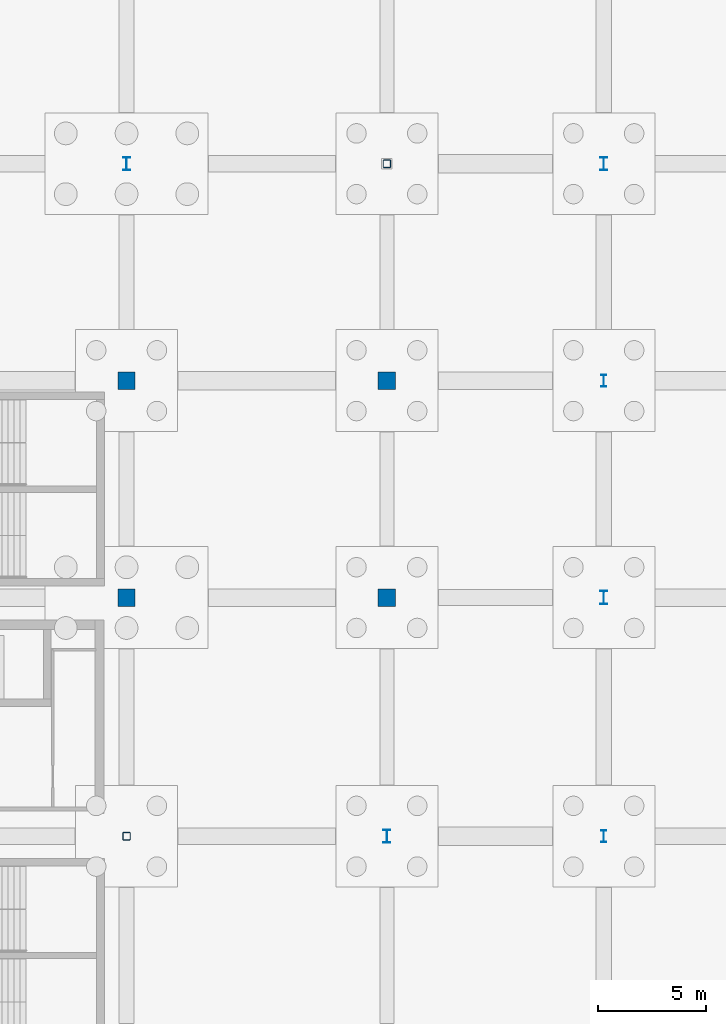
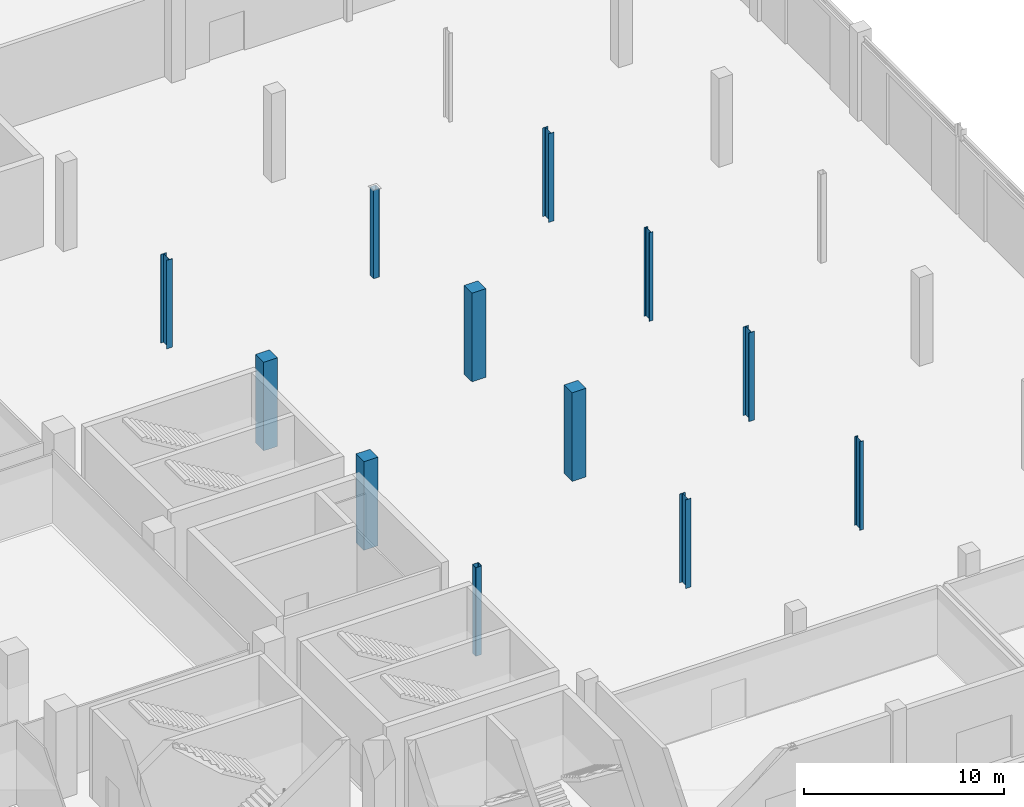
# One storey, part 23 of 70: 12 columns.
"""IFC4 building model written with IfcOpenShell, lengths in metres."""

from ifc_helpers import new_model, si_unit, direction, frame, origin, origin_2d, place, context, subcontext, project, spatial, rectangle, hollow_rectangle, i_section, extrude, material, material_profile, profile_set, type_object, element, save


model = new_model("IFC4")

# Units and contexts
model_context = context("Model", 3, precision=1e-05, world=origin(), true_north=direction((0.0, 1.0)))
body_context = subcontext(model_context, "Body", "Model", "MODEL_VIEW")
ifc_project = project(units=[si_unit("LENGTHUNIT", "METRE"), si_unit("AREAUNIT", "SQUARE_METRE"), si_unit("VOLUMEUNIT", "CUBIC_METRE"), si_unit("PLANEANGLEUNIT", "RADIAN"), si_unit("MASSUNIT", "GRAM", prefix="KILO")], contexts=[model_context])

# Site, building, storey
site_placement = place(None, origin())
site = spatial("IfcSite", under=ifc_project, at=site_placement, CompositionType="ELEMENT")
building_placement = place(site_placement, origin())
building = spatial("IfcBuilding", under=site, at=building_placement, Name="Brinegate Civic Arena", CompositionType="ELEMENT")
storey_placement = place(building_placement, origin())
storey = spatial("IfcBuildingStorey", under=building, at=storey_placement, Name="L00", CompositionType="ELEMENT", Elevation=0.0)

# Columns
ifc_material_1 = material(Name="Concrete C50/60", Category="concrete")
ifc_material_profile_1 = material_profile(ifc_material_1, rectangle(XDim=0.800048828125, YDim=0.800048828125, at=origin_2d()), Name="RC800X800")
ifc_profile_set_1 = profile_set([ifc_material_profile_1], Name="Concrete C50/60")
column_type_1 = type_object("IfcColumnType", Name="COL-CC07-800", PredefinedType="COLUMN", material=ifc_profile_set_1)
for number, where, z_axis, x_axis, name in (
    (1, (168.0, 42.0, 0.0), (0.0, 0.0, 1.0), (1.0, 0.0, 0.0), "Column COL-L00-15-E"),
    (2, (168.0, 52.0, 0.0), (0.0, 0.0, 1.0), (1.0, 0.0, 0.0), "Column COL-L00-15-F"),
    (3, (180.0, 42.0, 0.0), (0.0, 0.0, 1.0), (1.0, 0.0, 0.0), "Column COL-L00-16-E"),
    (4, (180.0, 52.0, 0.0), (0.0, 0.0, 1.0), (1.0, 0.0, 0.0), "Column COL-L00-16-F"),
):
    element("IfcColumn", number, at=place(storey_placement, frame(where, z_axis=z_axis, x_axis=x_axis)), inside=storey, type_object=column_type_1, Name=name, PredefinedType="COLUMN", context=body_context, shape_type="SweptSolid", body=[
        extrude(rectangle(XDim=0.800048828125, YDim=0.800048828125, at=origin_2d()), origin(), (0.0, 0.0, 1.0), 5.39990234375),
    ])
ifc_material_2 = material(Name="Steel S355", Category="steel")
ifc_material_profile_2 = material_profile(ifc_material_2, i_section(OverallWidth=0.323974609375, OverallDepth=0.611083984375, WebThickness=0.012939453125, FlangeThickness=0.01904296875, FilletRadius=0.01611328125, at=origin_2d()), Name="W610X155")
ifc_profile_set_2 = profile_set([ifc_material_profile_2], Name="Steel S355")
column_type_2 = type_object("IfcColumnType", Name="COL-SC01-W610", PredefinedType="COLUMN", material=ifc_profile_set_2)
for number, where, z_axis, x_axis, name in (
    (5, (168.0, 62.0, 0.0), (0.0, 0.0, 1.0), (1.0, 0.0, 0.0), "Column COL-L00-15-G"),
    (6, (180.0, 31.0, 0.0), (0.0, 0.0, 1.0), (1.0, 0.0, 0.0), "Column COL-L00-16-D"),
    (7, (190.0, 42.0, 0.0), (0.0, 0.0, 1.0), (1.0, 0.0, 0.0), "Column COL-L00-17-E"),
    (8, (190.0, 62.0, 0.0), (0.0, 0.0, 1.0), (1.0, 0.0, 0.0), "Column COL-L00-17-G"),
):
    element("IfcColumn", number, at=place(storey_placement, frame(where, z_axis=z_axis, x_axis=x_axis)), inside=storey, type_object=column_type_2, Name=name, PredefinedType="COLUMN", context=body_context, shape_type="SweptSolid", body=[
        extrude(i_section(OverallWidth=0.323974609375, OverallDepth=0.611083984375, WebThickness=0.012939453125, FlangeThickness=0.01904296875, FilletRadius=0.01611328125, at=origin_2d()), origin(), (0.0, 0.0, 1.0), 5.39990234375),
    ])
ifc_material_profile_3 = material_profile(ifc_material_2, i_section(OverallWidth=0.2119140625, OverallDepth=0.5439453125, WebThickness=0.012939453125, FlangeThickness=0.02099609375, FilletRadius=0.01611328125, at=origin_2d()), Name="W530X123")
ifc_profile_set_3 = profile_set([ifc_material_profile_3], Name="Steel S355")
column_type_3 = type_object("IfcColumnType", Name="COL-SC02-W530", PredefinedType="COLUMN", material=ifc_profile_set_3)
for number, where, z_axis, x_axis, name in (
    (9, (190.0, 31.0, 0.0), (0.0, 0.0, 1.0), (1.0, 0.0, 0.0), "Column COL-L00-17-D"),
    (10, (190.0, 52.0, 0.0), (0.0, 0.0, 1.0), (1.0, 0.0, 0.0), "Column COL-L00-17-F"),
):
    element("IfcColumn", number, at=place(storey_placement, frame(where, z_axis=z_axis, x_axis=x_axis)), inside=storey, type_object=column_type_3, Name=name, PredefinedType="COLUMN", context=body_context, shape_type="SweptSolid", body=[
        extrude(i_section(OverallWidth=0.2119140625, OverallDepth=0.5439453125, WebThickness=0.012939453125, FlangeThickness=0.02099609375, FilletRadius=0.01611328125, at=origin_2d()), origin(), (0.0, 0.0, 1.0), 5.39990234375),
    ])
ifc_material_profile_4 = material_profile(ifc_material_2, hollow_rectangle(XDim=0.35009765625, YDim=0.35009765625, WallThickness=0.01611328125, InnerFilletRadius=0.01611328125, OuterFilletRadius=0.031982421875, at=origin_2d()), Name="SHS350X16")
ifc_profile_set_4 = profile_set([ifc_material_profile_4], Name="Steel S355")
column_type_4 = type_object("IfcColumnType", Name="COL-SC04-SHS350", PredefinedType="COLUMN", material=ifc_profile_set_4)
for number, where, z_axis, x_axis, name in (
    (11, (168.0, 31.0, 0.0), (0.0, 0.0, 1.0), (1.0, 0.0, 0.0), "Column COL-L00-15-D"),
    (12, (180.0, 62.0, 0.0), (0.0, 0.0, 1.0), (1.0, 0.0, 0.0), "Column COL-L00-16-G"),
):
    element("IfcColumn", number, at=place(storey_placement, frame(where, z_axis=z_axis, x_axis=x_axis)), inside=storey, type_object=column_type_4, Name=name, PredefinedType="COLUMN", context=body_context, shape_type="SweptSolid", body=[
        extrude(hollow_rectangle(XDim=0.35009765625, YDim=0.35009765625, WallThickness=0.01611328125, InnerFilletRadius=0.01611328125, OuterFilletRadius=0.031982421875, at=origin_2d()), origin(), (0.0, 0.0, 1.0), 5.39990234375),
    ])

save(model, "model.ifc")
